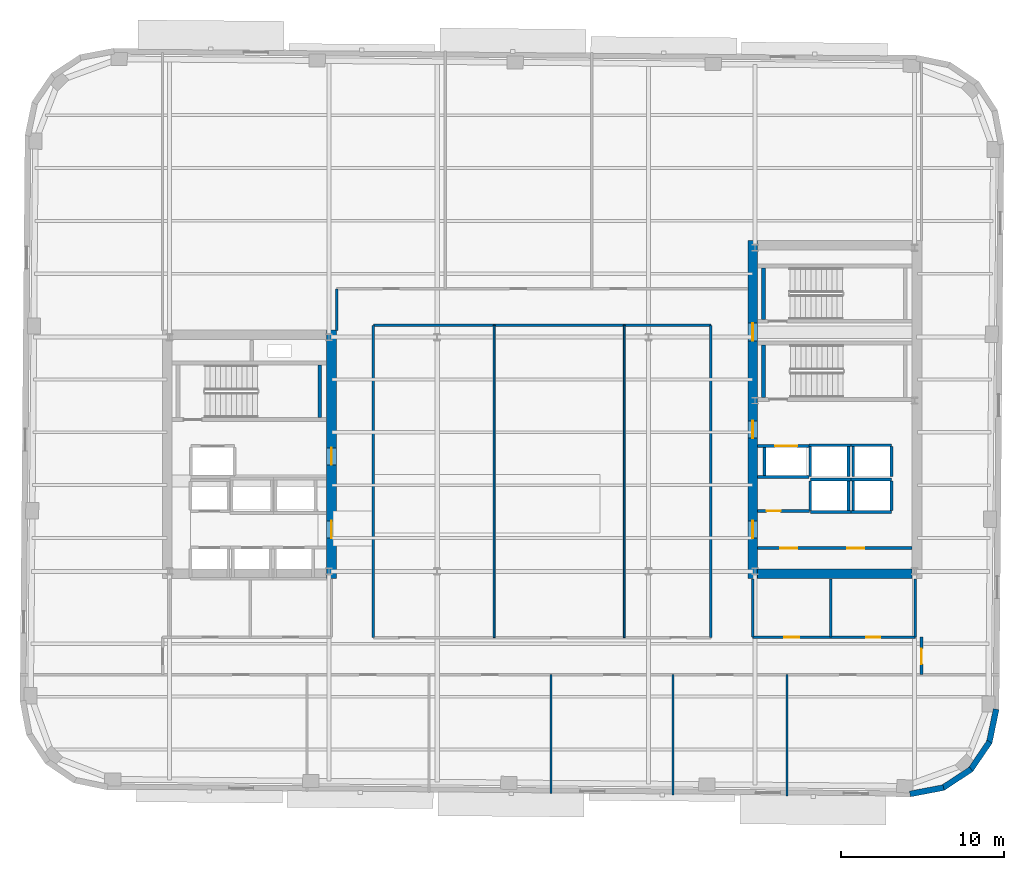
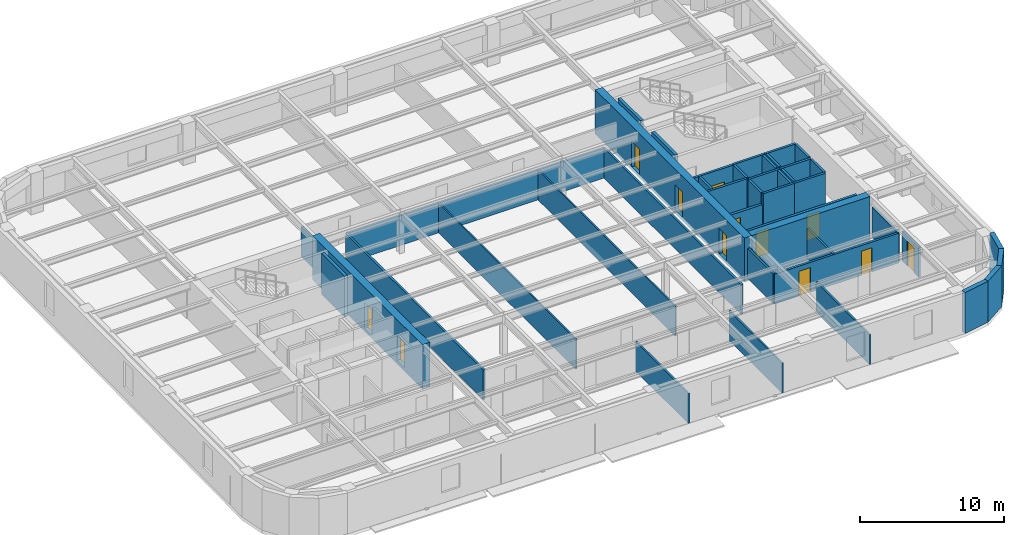
# One storey, part 5 of 11: 43 walls, 12 doors, 12 openings.
"""IFC4 building model written with IfcOpenShell, lengths in metres."""

from ifc_helpers import new_model, si_unit, direction, frame, frame_2d, origin, place, context, subcontext, project, spatial, rectangle, extrude, material, layer, layer_set, type_object, element, fill, save


model = new_model("IFC4")

# Units and contexts
model_context = context("Model", 3, precision=1e-05, world=origin(), true_north=direction((0.0, 1.0)))
body_context = subcontext(model_context, "Body", "Model", "MODEL_VIEW")
ifc_project = project(units=[si_unit("LENGTHUNIT", "METRE"), si_unit("AREAUNIT", "SQUARE_METRE"), si_unit("VOLUMEUNIT", "CUBIC_METRE"), si_unit("PLANEANGLEUNIT", "RADIAN"), si_unit("MASSUNIT", "GRAM", prefix="KILO")], contexts=[model_context])

# Site, building, storey
site_placement = place(None, origin())
site = spatial("IfcSite", under=ifc_project, at=site_placement, CompositionType="ELEMENT")
building_placement = place(site_placement, origin())
building = spatial("IfcBuilding", under=site, at=building_placement, Name="Kolvaren Arena Tower", CompositionType="ELEMENT")
storey_placement = place(building_placement, frame((0.0, 0.0, 195.949951171875)))
storey = spatial("IfcBuildingStorey", under=building, at=storey_placement, Name="L47", CompositionType="ELEMENT", Elevation=195.949951171875)

# Walls
ifc_material_1 = material(Name="Gypsum board acoustic assembly", Category="gypsum")
ifc_layer_1 = layer(ifc_material_1, 0.159912109375)
ifc_layer_set_1 = layer_set([ifc_layer_1], Name="Gypsum board acoustic assembly")
wall_type_1 = type_object("IfcWallType", Name="CORR-160", PredefinedType="PARTITIONING", material=ifc_layer_set_1)
wall_1_placement = place(storey_placement, frame((24.820068359375, 34.25, 0.0), z_axis=(0.0, 0.0, 1.0), x_axis=(0.0, 1.0, 0.0)))
element("IfcWall", 1, at=wall_1_placement, inside=storey, type_object=wall_type_1, Name="Interior Partition Wall (L47)", PredefinedType="PARTITIONING", context=body_context, shape_type="SweptSolid", body=[
    extrude(rectangle(XDim=2.570068359375, YDim=0.159912109375, at=frame_2d((1.28515625, 0.0))), origin(), (0.0, 0.0, 1.0), 2.5400390625),
])
wall_2_placement = place(storey_placement, frame((27.080078125, 34.580078125, 0.0), z_axis=(0.0, 0.0, 1.0), x_axis=(1.0, 0.0, 0.0)))
element("IfcWall", 2, at=wall_2_placement, inside=storey, type_object=wall_type_1, Name="Interior Partition Wall (L47)", PredefinedType="PARTITIONING", context=body_context, shape_type="SweptSolid", body=[
    extrude(rectangle(XDim=20.739990234375, YDim=0.159912109375, at=frame_2d((10.3701171875, 0.0))), origin(), (0.0, 0.0, 1.0), 2.5400390625),
])
for number, where, z_axis, x_axis, name in (
    (3, (27.080078125, 15.3798828125, 0.0), (0.0, 0.0, 1.0), (0.0, 1.0, 0.0), "Interior Partition Wall (L47)"),
    (4, (47.820068359375, 15.3798828125, 0.0), (0.0, 0.0, 1.0), (0.0, 1.0, 0.0), "Interior Partition Wall (L47)"),
):
    element("IfcWall", number, at=place(storey_placement, frame(where, z_axis=z_axis, x_axis=x_axis)), inside=storey, type_object=wall_type_1, Name=name, PredefinedType="PARTITIONING", context=body_context, shape_type="SweptSolid", body=[
        extrude(rectangle(XDim=19.2001953125, YDim=0.159912109375, at=frame_2d((9.60009765625, 0.0))), origin(), (0.0, 0.0, 1.0), 2.5400390625),
    ])

# Wall, opening, door
wall_3_placement = place(storey_placement, frame((60.780029296875, 13.10009765625, 0.0), z_axis=(0.0, 0.0, 1.0), x_axis=(0.0, 1.0, 0.0)))
wall_3 = element("IfcWall", 5, at=wall_3_placement, inside=storey, type_object=wall_type_1, Name="Interior Partition Wall (L47)", PredefinedType="PARTITIONING", context=body_context, shape_type="SweptSolid", body=[
    extrude(rectangle(XDim=2.2998046875, YDim=0.159912109375, at=frame_2d((1.14990234375, 0.0))), origin(), (0.0, 0.0, 1.0), 2.5400390625),
])
opening_1_placement = place(wall_3_placement, frame((0.64990234375, 0.0, 0.0)))
opening_1 = element("IfcOpeningElement", 6, at=opening_1_placement, cuts=wall_3, Name="Opening D05", PredefinedType="OPENING", context=body_context, shape_type="SweptSolid", body=[
    extrude(rectangle(XDim=0.949951171875, YDim=2.14990234375, at=frame_2d((0.47509765625, 1.074951171875))), frame((0.0, 0.08984375, 0.0), z_axis=(0.0, -1.0, 0.0), x_axis=(1.0, 0.0, 0.0)), (0.0, 0.0, 1.0), 0.179931640625),
])
ifc_material_2 = material(Name="Solid-core oak acoustic office door", Category="wood")
door_type_1 = type_object("IfcDoorType", Name="DOOR-OF-095", OperationType="NOTDEFINED", PredefinedType="DOOR", material=ifc_material_2)
door_1_placement = place(opening_1_placement, origin())
door_1 = element("IfcDoor", 7, at=door_1_placement, inside=storey, type_object=door_type_1, Name="East Wing Studio Door (L47)", OperationType="SINGLE_SWING_RIGHT", OverallHeight=2.14990234375, OverallWidth=0.949951171875, PredefinedType="DOOR", context=body_context, shape_type="SweptSolid", body=[
    extrude(rectangle(XDim=0.949951171875, YDim=2.14990234375, at=frame_2d((0.47509765625, 1.074951171875))), frame((0.0, 0.02490234375, 0.0), z_axis=(0.0, -1.0, 0.0), x_axis=(1.0, 0.0, 0.0)), (0.0, 0.0, 1.0), 0.050048828125),
])
fill(opening_1, door_1)

# Wall, openings, doors
ifc_material_3 = material(Name="Concrete 60 MPa", Category="concrete")
ifc_layer_2 = layer(ifc_material_3, 0.60009765625)
ifc_layer_set_2 = layer_set([ifc_layer_2], Name="Concrete 60 MPa")
wall_type_2 = type_object("IfcWallType", Name="CWALL-600", PredefinedType="SHEAR", material=ifc_layer_set_2)
wall_4_placement = place(storey_placement, frame((24.5, 19.0, -0.27001953125), z_axis=(0.0, 0.0, 1.0), x_axis=(0.0, 1.0, 0.0)))
wall_4 = element("IfcWall", 8, at=wall_4_placement, inside=storey, type_object=wall_type_2, Name="Core Shear Wall WC-EAST (L47)", PredefinedType="SHEAR", context=body_context, shape_type="SweptSolid", body=[
    extrude(rectangle(XDim=15.300048828125, YDim=0.60009765625, at=frame_2d((7.64990234375, 0.0))), origin(), (0.0, 0.0, 1.0), 3.75),
])
opening_2_placement = place(wall_4_placement, frame((2.5, 0.0, 0.27001953125)))
opening_2 = element("IfcOpeningElement", 9, at=opening_2_placement, cuts=wall_4, Name="Opening D04", PredefinedType="OPENING", context=body_context, shape_type="SweptSolid", body=[
    extrude(rectangle(XDim=1.050048828125, YDim=2.14990234375, at=frame_2d((0.52490234375, 1.074951171875))), frame((0.0, 0.31005859375, 0.0), z_axis=(0.0, -1.0, 0.0), x_axis=(1.0, 0.0, 0.0)), (0.0, 0.0, 1.0), 0.6201171875),
])
opening_3_placement = place(wall_4_placement, frame((7.0, 0.0, 0.27001953125)))
opening_3 = element("IfcOpeningElement", 10, at=opening_3_placement, cuts=wall_4, Name="Opening D04", PredefinedType="OPENING", context=body_context, shape_type="SweptSolid", body=[
    extrude(rectangle(XDim=1.050048828125, YDim=2.14990234375, at=frame_2d((0.52490234375, 1.074951171875))), frame((0.0, 0.31005859375, 0.0), z_axis=(0.0, -1.0, 0.0), x_axis=(1.0, 0.0, 0.0)), (0.0, 0.0, 1.0), 0.6201171875),
])
ifc_material_4 = material(Name="Fire-rated steel lobby door", Category="steel")
door_type_2 = type_object("IfcDoorType", Name="DOOR-FF-105", OperationType="NOTDEFINED", PredefinedType="DOOR", material=ifc_material_4)
door_2_placement = place(opening_2_placement, origin())
door_2 = element("IfcDoor", 11, at=door_2_placement, inside=storey, type_object=door_type_2, Name="West Lift Lobby Fire Door (L47)", OperationType="SINGLE_SWING_LEFT", OverallHeight=2.14990234375, OverallWidth=1.050048828125, PredefinedType="DOOR", context=body_context, shape_type="SweptSolid", body=[
    extrude(rectangle(XDim=1.050048828125, YDim=2.14990234375, at=frame_2d((0.52490234375, 1.074951171875))), frame((0.0, 0.02490234375, 0.0), z_axis=(0.0, -1.0, 0.0), x_axis=(1.0, 0.0, 0.0)), (0.0, 0.0, 1.0), 0.050048828125),
])
fill(opening_2, door_2)
door_3_placement = place(opening_3_placement, origin())
door_3 = element("IfcDoor", 12, at=door_3_placement, inside=storey, type_object=door_type_2, Name="West Firefighter Vestibule Door (L47)", OperationType="SINGLE_SWING_RIGHT", OverallHeight=2.14990234375, OverallWidth=1.050048828125, PredefinedType="DOOR", context=body_context, shape_type="SweptSolid", body=[
    extrude(rectangle(XDim=1.050048828125, YDim=2.14990234375, at=frame_2d((0.52490234375, 1.074951171875))), frame((0.0, 0.02490234375, 0.0), z_axis=(0.0, -1.0, 0.0), x_axis=(1.0, 0.0, 0.0)), (0.0, 0.0, 1.0), 0.050048828125),
])
fill(opening_3, door_3)

wall_5_placement = place(storey_placement, frame((50.39990234375, 19.0, -0.27001953125), z_axis=(0.0, 0.0, 1.0), x_axis=(0.0, 1.0, 0.0)))
wall_5 = element("IfcWall", 13, at=wall_5_placement, inside=storey, type_object=wall_type_2, Name="Core Shear Wall EC-WEST (L47)", PredefinedType="SHEAR", context=body_context, shape_type="SweptSolid", body=[
    extrude(rectangle(XDim=20.800048828125, YDim=0.60009765625, at=frame_2d((10.39990234375, 0.0))), origin(), (0.0, 0.0, 1.0), 3.75),
])
opening_4_placement = place(wall_5_placement, frame((2.5, 0.0, 0.27001953125)))
opening_4 = element("IfcOpeningElement", 14, at=opening_4_placement, cuts=wall_5, Name="Opening D04", PredefinedType="OPENING", context=body_context, shape_type="SweptSolid", body=[
    extrude(rectangle(XDim=1.050048828125, YDim=2.14990234375, at=frame_2d((0.52490234375, 1.074951171875))), frame((0.0, 0.31005859375, 0.0), z_axis=(0.0, -1.0, 0.0), x_axis=(1.0, 0.0, 0.0)), (0.0, 0.0, 1.0), 0.6201171875),
])
opening_5_placement = place(wall_5_placement, frame((8.64990234375, 0.0, 0.27001953125)))
opening_5 = element("IfcOpeningElement", 15, at=opening_5_placement, cuts=wall_5, Name="Opening D04", PredefinedType="OPENING", context=body_context, shape_type="SweptSolid", body=[
    extrude(rectangle(XDim=1.050048828125, YDim=2.14990234375, at=frame_2d((0.52490234375, 1.074951171875))), frame((0.0, 0.31005859375, 0.0), z_axis=(0.0, -1.0, 0.0), x_axis=(1.0, 0.0, 0.0)), (0.0, 0.0, 1.0), 0.6201171875),
])
opening_6_placement = place(wall_5_placement, frame((14.6201171875, 0.0, 0.27001953125)))
opening_6 = element("IfcOpeningElement", 16, at=opening_6_placement, cuts=wall_5, Name="Opening D03", PredefinedType="OPENING", context=body_context, shape_type="SweptSolid", body=[
    extrude(rectangle(XDim=1.10009765625, YDim=2.14990234375, at=frame_2d((0.550048828125, 1.074951171875))), frame((0.0, 0.31005859375, 0.0), z_axis=(0.0, -1.0, 0.0), x_axis=(1.0, 0.0, 0.0)), (0.0, 0.0, 1.0), 0.6201171875),
])
door_4_placement = place(opening_4_placement, origin())
door_4 = element("IfcDoor", 17, at=door_4_placement, inside=storey, type_object=door_type_2, Name="East Lift Lobby Fire Door (L47)", OperationType="SINGLE_SWING_RIGHT", OverallHeight=2.14990234375, OverallWidth=1.050048828125, PredefinedType="DOOR", context=body_context, shape_type="SweptSolid", body=[
    extrude(rectangle(XDim=1.050048828125, YDim=2.14990234375, at=frame_2d((0.52490234375, 1.074951171875))), frame((0.0, 0.02490234375, 0.0), z_axis=(0.0, -1.0, 0.0), x_axis=(1.0, 0.0, 0.0)), (0.0, 0.0, 1.0), 0.050048828125),
])
fill(opening_4, door_4)
door_5_placement = place(opening_5_placement, origin())
door_5 = element("IfcDoor", 18, at=door_5_placement, inside=storey, type_object=door_type_2, Name="East Firefighter Vestibule Door (L47)", OperationType="SINGLE_SWING_LEFT", OverallHeight=2.14990234375, OverallWidth=1.050048828125, PredefinedType="DOOR", context=body_context, shape_type="SweptSolid", body=[
    extrude(rectangle(XDim=1.050048828125, YDim=2.14990234375, at=frame_2d((0.52490234375, 1.074951171875))), frame((0.0, 0.02490234375, 0.0), z_axis=(0.0, -1.0, 0.0), x_axis=(1.0, 0.0, 0.0)), (0.0, 0.0, 1.0), 0.050048828125),
])
fill(opening_5, door_5)
ifc_material_5 = material(Name="Fire-rated steel exit stair door", Category="steel")
door_type_3 = type_object("IfcDoorType", Name="DOOR-ST-110", OperationType="NOTDEFINED", PredefinedType="DOOR", material=ifc_material_5)
door_6_placement = place(opening_6_placement, origin())
door_6 = element("IfcDoor", 19, at=door_6_placement, inside=storey, type_object=door_type_3, Name="Stair ST-E2 Vestibule Fire Door (L47)", OperationType="SINGLE_SWING_LEFT", OverallHeight=2.14990234375, OverallWidth=1.10009765625, PredefinedType="DOOR", context=body_context, shape_type="SweptSolid", body=[
    extrude(rectangle(XDim=1.10009765625, YDim=2.14990234375, at=frame_2d((0.550048828125, 1.074951171875))), frame((0.0, 0.02490234375, 0.0), z_axis=(0.0, -1.0, 0.0), x_axis=(1.0, 0.0, 0.0)), (0.0, 0.0, 1.0), 0.050048828125),
])
fill(opening_6, door_6)

# Walls
wall_6_placement = place(storey_placement, frame((50.699951171875, 19.300048828125, -0.27001953125), z_axis=(0.0, 0.0, 1.0), x_axis=(1.0, 0.0, 0.0)))
element("IfcWall", 20, at=wall_6_placement, inside=storey, type_object=wall_type_2, Name="Core Shear Wall EC-SOUTH (L47)", PredefinedType="SHEAR", context=body_context, shape_type="SweptSolid", body=[
    extrude(rectangle(XDim=9.5, YDim=0.60009765625, at=frame_2d((4.75, 0.0))), origin(), (0.0, 0.0, 1.0), 3.75),
])
ifc_material_6 = material(Name="Precast concrete C50/60", Category="concrete")
ifc_layer_3 = layer(ifc_material_6, 0.360107421875)
ifc_layer_set_3 = layer_set([ifc_layer_3], Name="Precast concrete C50/60")
wall_type_3 = type_object("IfcWallType", Name="EXT-PIER2", PredefinedType="SOLIDWALL", material=ifc_layer_set_3)
wall_7_placement = place(storey_placement, frame((62.136474609375, 6.155029296875, 0.0), z_axis=(0.0, 0.0, 1.0), x_axis=(-0.98246713518, -0.186435855703, 0.0)))
element("IfcWall", 21, at=wall_7_placement, inside=storey, type_object=wall_type_3, Name="Exterior Precast Masonry-Frame Wall (L47)", PredefinedType="SOLIDWALL", context=body_context, shape_type="SweptSolid", body=[
    extrude(rectangle(XDim=2.10693359375, YDim=0.360107421875, at=frame_2d((1.053466796875, 0.0))), origin(), (0.0, 0.0, 1.0), 3.47998046875),
])
wall_8_placement = place(storey_placement, frame((63.83349609375, 7.2841796875, 0.0), z_axis=(0.0, 0.0, 1.0), x_axis=(-0.836303589916, -0.548266637224, 0.0)))
element("IfcWall", 22, at=wall_8_placement, inside=storey, type_object=wall_type_3, Name="Exterior Precast Masonry-Frame Wall (L47)", PredefinedType="SOLIDWALL", context=body_context, shape_type="SweptSolid", body=[
    extrude(rectangle(XDim=2.107177734375, YDim=0.360107421875, at=frame_2d((1.0537109375, 0.0))), origin(), (0.0, 0.0, 1.0), 3.47998046875),
])
for number, where, z_axis, x_axis, name in (
    (23, (64.968994140625, 8.9765625, 0.0), (0.0, 0.0, 1.0), (-0.56277581689, -0.826609569219, 0.0), "Exterior Precast Masonry-Frame Wall (L47)"),
    (24, (65.370849609375, 10.974609375, 0.0), (0.0, 0.0, 1.0), (-0.203709000552, -0.979031482177, 0.0), "Exterior Precast Masonry-Frame Wall (L47)"),
):
    element("IfcWall", number, at=place(storey_placement, frame(where, z_axis=z_axis, x_axis=x_axis)), inside=storey, type_object=wall_type_3, Name=name, PredefinedType="SOLIDWALL", context=body_context, shape_type="SweptSolid", body=[
        extrude(rectangle(XDim=2.10693359375, YDim=0.360107421875, at=frame_2d((1.053466796875, 0.0))), origin(), (0.0, 0.0, 1.0), 3.47998046875),
    ])

# Wall, openings, doors
ifc_material_7 = material(Name="Concrete 40 MPa", Category="concrete")
ifc_layer_4 = layer(ifc_material_7, 0.199951171875)
ifc_layer_set_4 = layer_set([ifc_layer_4], Name="Concrete 40 MPa")
wall_type_4 = type_object("IfcWallType", Name="LOBBY-200", PredefinedType="SOLIDWALL", material=ifc_layer_set_4)
wall_9_placement = place(storey_placement, frame((50.699951171875, 20.8798828125, 0.0), z_axis=(0.0, 0.0, 1.0), x_axis=(1.0, 0.0, 0.0)))
wall_9 = element("IfcWall", 25, at=wall_9_placement, inside=storey, type_object=wall_type_4, Name="Core Shaft Wall (L47)", PredefinedType="SOLIDWALL", context=body_context, shape_type="SweptSolid", body=[
    extrude(rectangle(XDim=9.5, YDim=0.199951171875, at=frame_2d((4.75, 0.0))), origin(), (0.0, 0.0, 1.0), 2.5400390625),
])
opening_7_placement = place(wall_9_placement, frame((1.39990234375, 0.0, 0.0)))
opening_7 = element("IfcOpeningElement", 26, at=opening_7_placement, cuts=wall_9, Name="Opening D04", PredefinedType="OPENING", context=body_context, shape_type="SweptSolid", body=[
    extrude(rectangle(XDim=1.050048828125, YDim=2.14990234375, at=frame_2d((0.52490234375, 1.074951171875))), frame((0.0, 0.10986328125, 0.0), z_axis=(0.0, -1.0, 0.0), x_axis=(1.0, 0.0, 0.0)), (0.0, 0.0, 1.0), 0.219970703125),
])
opening_8_placement = place(wall_9_placement, frame((5.5, 0.0, 0.0)))
opening_8 = element("IfcOpeningElement", 27, at=opening_8_placement, cuts=wall_9, Name="Opening D04", PredefinedType="OPENING", context=body_context, shape_type="SweptSolid", body=[
    extrude(rectangle(XDim=1.050048828125, YDim=2.14990234375, at=frame_2d((0.52490234375, 1.074951171875))), frame((0.0, 0.10986328125, 0.0), z_axis=(0.0, -1.0, 0.0), x_axis=(1.0, 0.0, 0.0)), (0.0, 0.0, 1.0), 0.219970703125),
])
door_7_placement = place(opening_7_placement, origin())
door_7 = element("IfcDoor", 28, at=door_7_placement, inside=storey, type_object=door_type_2, Name="East Telecom Room Fire Door (L47)", OperationType="SINGLE_SWING_RIGHT", OverallHeight=2.14990234375, OverallWidth=1.050048828125, PredefinedType="DOOR", context=body_context, shape_type="SweptSolid", body=[
    extrude(rectangle(XDim=1.050048828125, YDim=2.14990234375, at=frame_2d((0.52490234375, 1.074951171875))), frame((0.0, 0.02490234375, 0.0), z_axis=(0.0, -1.0, 0.0), x_axis=(1.0, 0.0, 0.0)), (0.0, 0.0, 1.0), 0.050048828125),
])
fill(opening_7, door_7)
door_8_placement = place(opening_8_placement, origin())
door_8 = element("IfcDoor", 29, at=door_8_placement, inside=storey, type_object=door_type_2, Name="East Records Room Fire Door (L47)", OperationType="SINGLE_SWING_LEFT", OverallHeight=2.14990234375, OverallWidth=1.050048828125, PredefinedType="DOOR", context=body_context, shape_type="SweptSolid", body=[
    extrude(rectangle(XDim=1.050048828125, YDim=2.14990234375, at=frame_2d((0.52490234375, 1.074951171875))), frame((0.0, 0.02490234375, 0.0), z_axis=(0.0, -1.0, 0.0), x_axis=(1.0, 0.0, 0.0)), (0.0, 0.0, 1.0), 0.050048828125),
])
fill(opening_8, door_8)

# Wall, opening, door
wall_10_placement = place(storey_placement, frame((50.699951171875, 23.159912109375, 0.0), z_axis=(0.0, 0.0, 1.0), x_axis=(1.0, 0.0, 0.0)))
wall_10 = element("IfcWall", 30, at=wall_10_placement, inside=storey, type_object=wall_type_4, Name="Core Shaft Wall (L47)", PredefinedType="SOLIDWALL", context=body_context, shape_type="SweptSolid", body=[
    extrude(rectangle(XDim=3.179931640625, YDim=0.199951171875, at=frame_2d((1.58984375, 0.0))), origin(), (0.0, 0.0, 1.0), 2.5400390625),
])
opening_9_placement = place(wall_10_placement, frame((0.550048828125, 0.0, 0.0)))
opening_9 = element("IfcOpeningElement", 31, at=opening_9_placement, cuts=wall_10, Name="Opening D09", PredefinedType="OPENING", context=body_context, shape_type="SweptSolid", body=[
    extrude(rectangle(XDim=0.860107421875, YDim=2.050048828125, at=frame_2d((0.43017578125, 1.02490234375))), frame((0.0, 0.10986328125, 0.0), z_axis=(0.0, -1.0, 0.0), x_axis=(1.0, 0.0, 0.0)), (0.0, 0.0, 1.0), 0.219970703125),
])
ifc_material_8 = material(Name="Fire-rated steel riser access door", Category="steel")
door_type_4 = type_object("IfcDoorType", Name="DOOR-RS-086", OperationType="NOTDEFINED", PredefinedType="DOOR", material=ifc_material_8)
door_9_placement = place(opening_9_placement, origin())
door_9 = element("IfcDoor", 32, at=door_9_placement, inside=storey, type_object=door_type_4, Name="East AV Riser Closet Door (L47)", OperationType="SINGLE_SWING_LEFT", OverallHeight=2.050048828125, OverallWidth=0.860107421875, PredefinedType="DOOR", context=body_context, shape_type="SweptSolid", body=[
    extrude(rectangle(XDim=0.860107421875, YDim=2.050048828125, at=frame_2d((0.43017578125, 1.02490234375))), frame((0.0, 0.02490234375, 0.0), z_axis=(0.0, -1.0, 0.0), x_axis=(1.0, 0.0, 0.0)), (0.0, 0.0, 1.0), 0.050048828125),
])
fill(opening_9, door_9)

# Walls
ifc_material_9 = material(Name="Gypsum board partition assembly", Category="gypsum")
ifc_layer_5 = layer(ifc_material_9, 0.114990234375)
ifc_layer_set_5 = layer_set([ifc_layer_5], Name="Gypsum board partition assembly")
wall_type_5 = type_object("IfcWallType", Name="PART-115", PredefinedType="PARTITIONING", material=ifc_layer_set_5)
for number, where, z_axis, x_axis, name in (
    (33, (34.5, 15.3798828125, 0.0), (0.0, 0.0, 1.0), (0.0, 1.0, 0.0), "Interior Partition Wall (L47)"),
    (34, (42.5, 15.3798828125, 0.0), (0.0, 0.0, 1.0), (0.0, 1.0, 0.0), "Interior Partition Wall (L47)"),
):
    element("IfcWall", number, at=place(storey_placement, frame(where, z_axis=z_axis, x_axis=x_axis)), inside=storey, type_object=wall_type_5, Name=name, PredefinedType="PARTITIONING", context=body_context, shape_type="SweptSolid", body=[
        extrude(rectangle(XDim=19.2001953125, YDim=0.114990234375, at=frame_2d((9.60009765625, 0.0))), origin(), (0.0, 0.0, 1.0), 2.5400390625),
    ])
ifc_layer_6 = layer(ifc_material_9, 0.135009765625)
ifc_layer_set_6 = layer_set([ifc_layer_6], Name="Gypsum board partition assembly")
wall_type_6 = type_object("IfcWallType", Name="PART-135", PredefinedType="PARTITIONING", material=ifc_layer_set_6)
wall_11_placement = place(storey_placement, frame((38.0, 5.7783203125, 0.0), z_axis=(0.0, 0.0, 1.0), x_axis=(0.0, 1.0, 0.0)))
element("IfcWall", 35, at=wall_11_placement, inside=storey, type_object=wall_type_6, Name="Interior Partition Wall (L47)", PredefinedType="PARTITIONING", context=body_context, shape_type="SweptSolid", body=[
    extrude(rectangle(XDim=7.32177734375, YDim=0.135009765625, at=frame_2d((3.660888671875, 0.0))), origin(), (0.0, 0.0, 1.0), 2.5400390625),
])
wall_12_placement = place(storey_placement, frame((45.5, 5.712646484375, 0.0), z_axis=(0.0, 0.0, 1.0), x_axis=(0.0, 1.0, 0.0)))
element("IfcWall", 36, at=wall_12_placement, inside=storey, type_object=wall_type_6, Name="Interior Partition Wall (L47)", PredefinedType="PARTITIONING", context=body_context, shape_type="SweptSolid", body=[
    extrude(rectangle(XDim=7.387451171875, YDim=0.135009765625, at=frame_2d((3.69384765625, 0.0))), origin(), (0.0, 0.0, 1.0), 2.5400390625),
])
wall_13_placement = place(storey_placement, frame((52.5, 5.651611328125, 0.0), z_axis=(0.0, 0.0, 1.0), x_axis=(0.0, 1.0, 0.0)))
element("IfcWall", 37, at=wall_13_placement, inside=storey, type_object=wall_type_6, Name="Interior Partition Wall (L47)", PredefinedType="PARTITIONING", context=body_context, shape_type="SweptSolid", body=[
    extrude(rectangle(XDim=7.448486328125, YDim=0.135009765625, at=frame_2d((3.72412109375, 0.0))), origin(), (0.0, 0.0, 1.0), 2.5400390625),
])
ifc_material_10 = material(Name="Concrete 45 MPa", Category="concrete")
ifc_layer_7 = layer(ifc_material_10, 0.25)
ifc_layer_set_7 = layer_set([ifc_layer_7], Name="Concrete 45 MPa")
wall_type_7 = type_object("IfcWallType", Name="SHAFT-250", PredefinedType="SOLIDWALL", material=ifc_layer_set_7)
for number, where, z_axis, x_axis, name in (
    (38, (23.780029296875, 28.89990234375, 0.0), (0.0, 0.0, 1.0), (0.0, 1.0, 0.0), "Core Shaft Wall (L47)"),
    (39, (51.06005859375, 30.14990234375, 0.0), (0.0, 0.0, 1.0), (0.0, 1.0, 0.0), "Core Shaft Wall (L47)"),
):
    element("IfcWall", number, at=place(storey_placement, frame(where, z_axis=z_axis, x_axis=x_axis)), inside=storey, type_object=wall_type_7, Name=name, PredefinedType="SOLIDWALL", context=body_context, shape_type="SweptSolid", body=[
        extrude(rectangle(XDim=3.22998046875, YDim=0.239990234375, at=frame_2d((1.614990234375, 0.0))), origin(), (0.0, 0.0, 1.0), 3.47998046875),
    ])
wall_14_placement = place(storey_placement, frame((51.06005859375, 34.949951171875, 0.0), z_axis=(0.0, 0.0, 1.0), x_axis=(0.0, 1.0, 0.0)))
element("IfcWall", 40, at=wall_14_placement, inside=storey, type_object=wall_type_7, Name="Core Shaft Wall (L47)", PredefinedType="SOLIDWALL", context=body_context, shape_type="SweptSolid", body=[
    extrude(rectangle(XDim=3.150146484375, YDim=0.239990234375, at=frame_2d((1.5751953125, 0.0))), origin(), (0.0, 0.0, 1.0), 3.47998046875),
])
for number, where, z_axis, x_axis, name in (
    (41, (53.93994140625, 25.10498046875, 0.0), (0.0, 0.0, 1.0), (1.0, 0.0, 0.0), "Core Shaft Wall (L47)"),
    (42, (53.93994140625, 23.094970703125, 0.0), (0.0, 0.0, 1.0), (1.0, 0.0, 0.0), "Core Shaft Wall (L47)"),
):
    element("IfcWall", number, at=place(storey_placement, frame(where, z_axis=z_axis, x_axis=x_axis)), inside=storey, type_object=wall_type_7, Name=name, PredefinedType="SOLIDWALL", context=body_context, shape_type="SweptSolid", body=[
        extrude(rectangle(XDim=2.5, YDim=0.179931640625, at=frame_2d((1.25, 0.0))), origin(), (0.0, 0.0, 1.0), 3.47998046875),
    ])
for number, where, z_axis, x_axis, name in (
    (43, (53.93994140625, 23.18505859375, 0.0), (0.0, 0.0, 1.0), (0.0, 1.0, 0.0), "Core Shaft Wall (L47)"),
    (44, (56.300048828125, 23.18505859375, 0.0), (0.0, 0.0, 1.0), (0.0, 1.0, 0.0), "Core Shaft Wall (L47)"),
):
    element("IfcWall", number, at=place(storey_placement, frame(where, z_axis=z_axis, x_axis=x_axis)), inside=storey, type_object=wall_type_7, Name=name, PredefinedType="SOLIDWALL", context=body_context, shape_type="SweptSolid", body=[
        extrude(rectangle(XDim=1.829833984375, YDim=0.179931640625, at=frame_2d((0.9150390625, 0.0))), origin(), (0.0, 0.0, 1.0), 3.47998046875),
    ])
for number, where, z_axis, x_axis, name in (
    (45, (56.43994140625, 25.10498046875, 0.0), (0.0, 0.0, 1.0), (1.0, 0.0, 0.0), "Core Shaft Wall (L47)"),
    (46, (56.43994140625, 23.094970703125, 0.0), (0.0, 0.0, 1.0), (1.0, 0.0, 0.0), "Core Shaft Wall (L47)"),
):
    element("IfcWall", number, at=place(storey_placement, frame(where, z_axis=z_axis, x_axis=x_axis)), inside=storey, type_object=wall_type_7, Name=name, PredefinedType="SOLIDWALL", context=body_context, shape_type="SweptSolid", body=[
        extrude(rectangle(XDim=2.5, YDim=0.179931640625, at=frame_2d((1.25, 0.0))), origin(), (0.0, 0.0, 1.0), 3.47998046875),
    ])
for number, where, z_axis, x_axis, name in (
    (47, (56.580078125, 23.18505859375, 0.0), (0.0, 0.0, 1.0), (0.0, 1.0, 0.0), "Core Shaft Wall (L47)"),
    (48, (58.93994140625, 23.18505859375, 0.0), (0.0, 0.0, 1.0), (0.0, 1.0, 0.0), "Core Shaft Wall (L47)"),
):
    element("IfcWall", number, at=place(storey_placement, frame(where, z_axis=z_axis, x_axis=x_axis)), inside=storey, type_object=wall_type_7, Name=name, PredefinedType="SOLIDWALL", context=body_context, shape_type="SweptSolid", body=[
        extrude(rectangle(XDim=1.829833984375, YDim=0.179931640625, at=frame_2d((0.9150390625, 0.0))), origin(), (0.0, 0.0, 1.0), 3.47998046875),
    ])
wall_15_placement = place(storey_placement, frame((53.864990234375, 27.205078125, 0.0), z_axis=(0.0, 0.0, 1.0), x_axis=(1.0, 0.0, 0.0)))
element("IfcWall", 49, at=wall_15_placement, inside=storey, type_object=wall_type_7, Name="Core Shaft Wall (L47)", PredefinedType="SOLIDWALL", context=body_context, shape_type="SweptSolid", body=[
    extrude(rectangle(XDim=2.574951171875, YDim=0.179931640625, at=frame_2d((1.28759765625, 0.0))), origin(), (0.0, 0.0, 1.0), 3.47998046875),
])
for number, where, z_axis, x_axis, name in (
    (50, (53.93994140625, 25.284912109375, 0.0), (0.0, 0.0, 1.0), (0.0, 1.0, 0.0), "Core Shaft Wall (L47)"),
    (51, (56.300048828125, 25.284912109375, 0.0), (0.0, 0.0, 1.0), (0.0, 1.0, 0.0), "Core Shaft Wall (L47)"),
):
    element("IfcWall", number, at=place(storey_placement, frame(where, z_axis=z_axis, x_axis=x_axis)), inside=storey, type_object=wall_type_7, Name=name, PredefinedType="SOLIDWALL", context=body_context, shape_type="SweptSolid", body=[
        extrude(rectangle(XDim=1.830078125, YDim=0.179931640625, at=frame_2d((0.9150390625, 0.0))), origin(), (0.0, 0.0, 1.0), 3.47998046875),
    ])
wall_16_placement = place(storey_placement, frame((56.43994140625, 27.205078125, 0.0), z_axis=(0.0, 0.0, 1.0), x_axis=(1.0, 0.0, 0.0)))
element("IfcWall", 52, at=wall_16_placement, inside=storey, type_object=wall_type_7, Name="Core Shaft Wall (L47)", PredefinedType="SOLIDWALL", context=body_context, shape_type="SweptSolid", body=[
    extrude(rectangle(XDim=2.5, YDim=0.179931640625, at=frame_2d((1.25, 0.0))), origin(), (0.0, 0.0, 1.0), 3.47998046875),
])
for number, where, z_axis, x_axis, name in (
    (53, (56.580078125, 25.284912109375, 0.0), (0.0, 0.0, 1.0), (0.0, 1.0, 0.0), "Core Shaft Wall (L47)"),
    (54, (58.93994140625, 25.284912109375, 0.0), (0.0, 0.0, 1.0), (0.0, 1.0, 0.0), "Core Shaft Wall (L47)"),
):
    element("IfcWall", number, at=place(storey_placement, frame(where, z_axis=z_axis, x_axis=x_axis)), inside=storey, type_object=wall_type_7, Name=name, PredefinedType="SOLIDWALL", context=body_context, shape_type="SweptSolid", body=[
        extrude(rectangle(XDim=1.830078125, YDim=0.179931640625, at=frame_2d((0.9150390625, 0.0))), origin(), (0.0, 0.0, 1.0), 3.47998046875),
    ])

# Wall, opening, door
wall_17_placement = place(storey_placement, frame((50.699951171875, 27.155029296875, 0.0), z_axis=(0.0, 0.0, 1.0), x_axis=(1.0, 0.0, 0.0)))
wall_17 = element("IfcWall", 55, at=wall_17_placement, inside=storey, type_object=wall_type_7, Name="Core Shaft Wall (L47)", PredefinedType="SOLIDWALL", context=body_context, shape_type="SweptSolid", body=[
    extrude(rectangle(XDim=3.1650390625, YDim=0.179931640625, at=frame_2d((1.58251953125, 0.0))), origin(), (0.0, 0.0, 1.0), 3.47998046875),
])
opening_10_placement = place(wall_17_placement, frame((1.0849609375, 0.0, 0.0)))
opening_10 = element("IfcOpeningElement", 56, at=opening_10_placement, cuts=wall_17, Name="Opening LD2", PredefinedType="OPENING", context=body_context, shape_type="SweptSolid", body=[
    extrude(rectangle(XDim=1.35009765625, YDim=2.300048828125, at=frame_2d((0.675048828125, 1.14990234375))), frame((0.0, 0.099853515625, 0.0), z_axis=(0.0, -1.0, 0.0), x_axis=(1.0, 0.0, 0.0)), (0.0, 0.0, 1.0), 0.199951171875),
])
ifc_material_11 = material(Name="Stainless steel firefighter lift landing door", Category="steel")
door_type_5 = type_object("IfcDoorType", Name="DOOR-LD-135", OperationType="DOUBLE_DOOR_SLIDING", PredefinedType="DOOR", material=ifc_material_11)
door_10_placement = place(opening_10_placement, origin())
door_10 = element("IfcDoor", 57, at=door_10_placement, inside=storey, type_object=door_type_5, Name="Firefighter Lift FF-E1 Landing Door (L47)", OperationType="DOUBLE_DOOR_SLIDING", OverallHeight=2.300048828125, OverallWidth=1.35009765625, PredefinedType="DOOR", context=body_context, shape_type="SweptSolid", body=[
    extrude(rectangle(XDim=1.35009765625, YDim=2.300048828125, at=frame_2d((0.675048828125, 1.14990234375))), frame((0.0, 0.02490234375, 0.0), z_axis=(0.0, -1.0, 0.0), x_axis=(1.0, 0.0, 0.0)), (0.0, 0.0, 1.0), 0.050048828125),
])
fill(opening_10, door_10)

# Walls
wall_18_placement = place(storey_placement, frame((50.699951171875, 25.2451171875, 0.0), z_axis=(0.0, 0.0, 1.0), x_axis=(1.0, 0.0, 0.0)))
element("IfcWall", 58, at=wall_18_placement, inside=storey, type_object=wall_type_7, Name="Core Shaft Wall (L47)", PredefinedType="SOLIDWALL", context=body_context, shape_type="SweptSolid", body=[
    extrude(rectangle(XDim=3.1650390625, YDim=0.179931640625, at=frame_2d((1.58251953125, 0.0))), origin(), (0.0, 0.0, 1.0), 3.47998046875),
])
wall_19_placement = place(storey_placement, frame((51.1298828125, 25.3349609375, 0.0), z_axis=(0.0, 0.0, 1.0), x_axis=(0.0, 1.0, 0.0)))
element("IfcWall", 59, at=wall_19_placement, inside=storey, type_object=wall_type_7, Name="Core Shaft Wall (L47)", PredefinedType="SOLIDWALL", context=body_context, shape_type="SweptSolid", body=[
    extrude(rectangle(XDim=1.72998046875, YDim=0.179931640625, at=frame_2d((0.864990234375, 0.0))), origin(), (0.0, 0.0, 1.0), 3.47998046875),
])

# Wall, openings, doors
wall_20_placement = place(storey_placement, frame((50.39990234375, 15.39990234375, 0.0), z_axis=(0.0, 0.0, 1.0), x_axis=(1.0, 0.0, 0.0)))
wall_20 = element("IfcWall", 60, at=wall_20_placement, inside=storey, type_object=wall_type_7, Name="Interior Partition Wall (L47)", PredefinedType="SOLIDWALL", context=body_context, shape_type="SweptSolid", body=[
    extrude(rectangle(XDim=10.0, YDim=0.179931640625, at=frame_2d((5.0, 0.0))), origin(), (0.0, 0.0, 1.0), 2.5400390625),
])
opening_11_placement = place(wall_20_placement, frame((1.93994140625, 0.0, 0.0)))
opening_11 = element("IfcOpeningElement", 61, at=opening_11_placement, cuts=wall_20, Name="Opening D07", PredefinedType="OPENING", context=body_context, shape_type="SweptSolid", body=[
    extrude(rectangle(XDim=0.919921875, YDim=2.10009765625, at=frame_2d((0.4599609375, 1.050048828125))), frame((0.0, 0.099853515625, 0.0), z_axis=(0.0, -1.0, 0.0), x_axis=(1.0, 0.0, 0.0)), (0.0, 0.0, 1.0), 0.199951171875),
])
opening_12_placement = place(wall_20_placement, frame((6.969970703125, 0.0, 0.0)))
opening_12 = element("IfcOpeningElement", 62, at=opening_12_placement, cuts=wall_20, Name="Opening D09", PredefinedType="OPENING", context=body_context, shape_type="SweptSolid", body=[
    extrude(rectangle(XDim=0.860107421875, YDim=2.050048828125, at=frame_2d((0.43017578125, 1.02490234375))), frame((0.0, 0.099853515625, 0.0), z_axis=(0.0, -1.0, 0.0), x_axis=(1.0, 0.0, 0.0)), (0.0, 0.0, 1.0), 0.199951171875),
])
door_11_placement = place(opening_12_placement, origin())
door_11 = element("IfcDoor", 63, at=door_11_placement, inside=storey, type_object=door_type_4, Name="Electrical Riser Closet Door (L47)", OperationType="SINGLE_SWING_RIGHT", OverallHeight=2.050048828125, OverallWidth=0.860107421875, PredefinedType="DOOR", context=body_context, shape_type="SweptSolid", body=[
    extrude(rectangle(XDim=0.860107421875, YDim=2.050048828125, at=frame_2d((0.43017578125, 1.02490234375))), frame((0.0, 0.02490234375, 0.0), z_axis=(0.0, -1.0, 0.0), x_axis=(1.0, 0.0, 0.0)), (0.0, 0.0, 1.0), 0.050048828125),
])
fill(opening_12, door_11)
ifc_material_12 = material(Name="Laminate universal washroom door", Category="wood")
door_type_6 = type_object("IfcDoorType", Name="DOOR-WC-092", OperationType="NOTDEFINED", PredefinedType="DOOR", material=ifc_material_12)
door_12_placement = place(opening_11_placement, origin())
door_12 = element("IfcDoor", 64, at=door_12_placement, inside=storey, type_object=door_type_6, Name="Cleaner and Janitor Store Door (L47)", OperationType="SINGLE_SWING_LEFT", OverallHeight=2.10009765625, OverallWidth=0.919921875, PredefinedType="DOOR", context=body_context, shape_type="SweptSolid", body=[
    extrude(rectangle(XDim=0.919921875, YDim=2.10009765625, at=frame_2d((0.4599609375, 1.050048828125))), frame((0.0, 0.02490234375, 0.0), z_axis=(0.0, -1.0, 0.0), x_axis=(1.0, 0.0, 0.0)), (0.0, 0.0, 1.0), 0.050048828125),
])
fill(opening_11, door_12)

# Walls
ifc_material_13 = material(Name="Moisture-resistant gypsum assembly", Category="gypsum")
ifc_layer_8 = layer(ifc_material_13, 0.14990234375)
ifc_layer_set_8 = layer_set([ifc_layer_8], Name="Moisture-resistant gypsum assembly")
wall_type_8 = type_object("IfcWallType", Name="WETW-150", PredefinedType="PARTITIONING", material=ifc_layer_set_8)
for number, where, z_axis, x_axis, name in (
    (65, (55.199951171875, 15.39990234375, 0.0), (0.0, 0.0, 1.0), (0.0, 1.0, 0.0), "Interior Partition Wall (L47)"),
    (66, (50.39990234375, 15.39990234375, 0.0), (0.0, 0.0, 1.0), (0.0, 1.0, 0.0), "Interior Partition Wall (L47)"),
    (67, (60.39990234375, 15.39990234375, 0.0), (0.0, 0.0, 1.0), (0.0, 1.0, 0.0), "Interior Partition Wall (L47)"),
):
    element("IfcWall", number, at=place(storey_placement, frame(where, z_axis=z_axis, x_axis=x_axis)), inside=storey, type_object=wall_type_8, Name=name, PredefinedType="PARTITIONING", context=body_context, shape_type="SweptSolid", body=[
        extrude(rectangle(XDim=3.580078125, YDim=0.14990234375, at=frame_2d((1.7900390625, 0.0))), origin(), (0.0, 0.0, 1.0), 2.5400390625),
    ])

save(model, "model.ifc")
